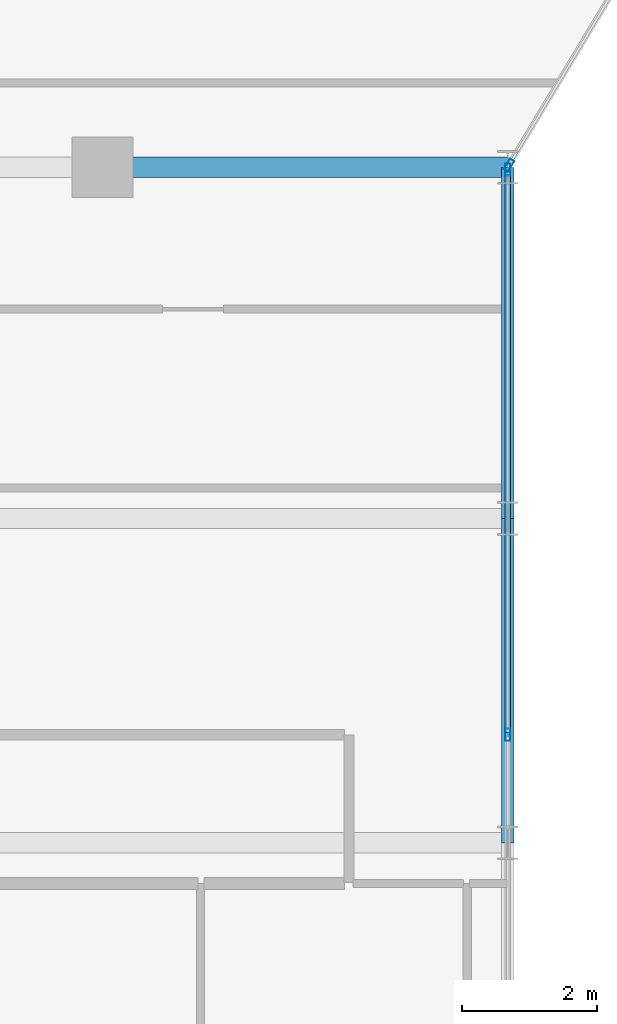
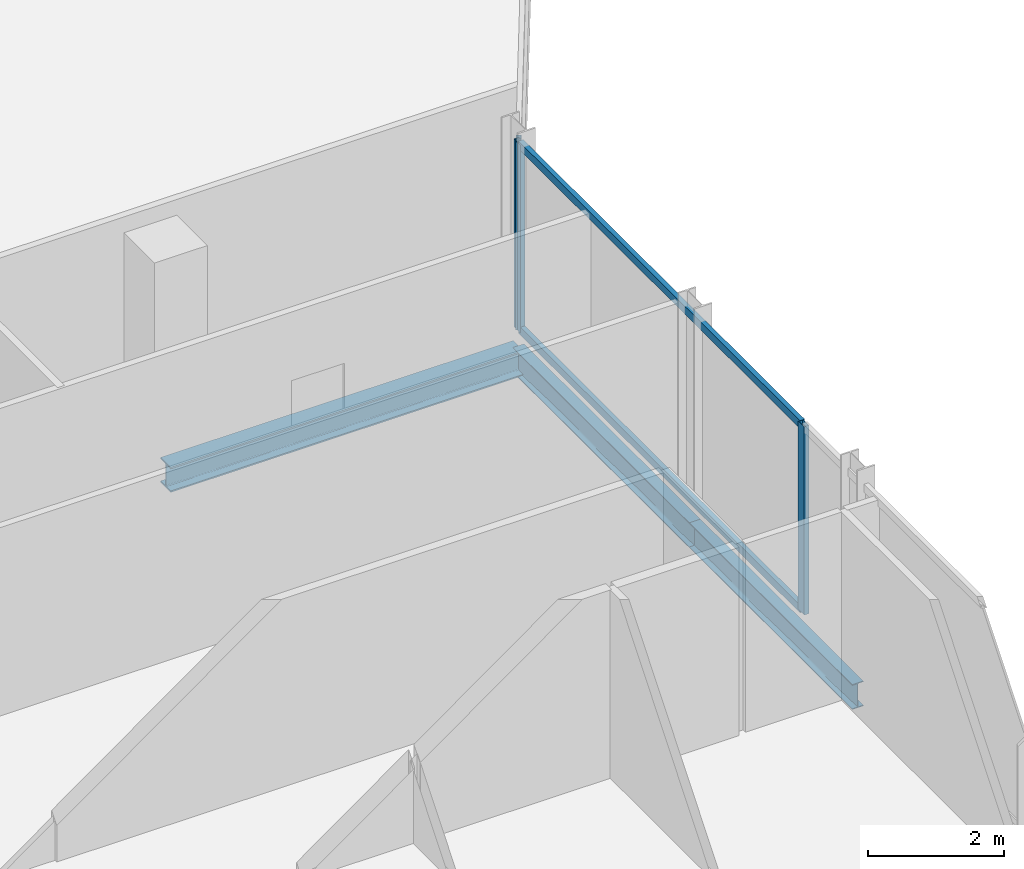
# One storey, part 13 of 32: 5 members, 3 beams, 2 elements without a shape of their own.
"""IFC4 building model written with IfcOpenShell, lengths in metres."""

from ifc_helpers import new_model, si_unit, direction, frame, origin, origin_2d, place, context, subcontext, project, spatial, hollow_rectangle, i_section, extrude, material, layer, layer_set, material_profile, profile_set, type_object, element, aggregate, save


model = new_model("IFC4")

# Units and contexts
model_context = context("Model", 3, precision=1e-05, world=origin(), true_north=direction((0.0, 1.0)))
body_context = subcontext(model_context, "Body", "Model", "MODEL_VIEW")
ifc_project = project(units=[si_unit("LENGTHUNIT", "METRE"), si_unit("AREAUNIT", "SQUARE_METRE"), si_unit("VOLUMEUNIT", "CUBIC_METRE"), si_unit("PLANEANGLEUNIT", "RADIAN"), si_unit("MASSUNIT", "GRAM", prefix="KILO")], contexts=[model_context])

# Site, building, storey
site_placement = place(None, origin())
site = spatial("IfcSite", under=ifc_project, at=site_placement, CompositionType="ELEMENT")
building_placement = place(site_placement, origin())
building = spatial("IfcBuilding", under=site, at=building_placement, Name="Keshet Zoharim Tower", CompositionType="ELEMENT")
storey_placement = place(building_placement, frame((0.0, 0.0, 137.199951171875)))
storey = spatial("IfcBuildingStorey", under=building, at=storey_placement, Name="L33", CompositionType="ELEMENT", Elevation=137.199951171875)

# Beams
ifc_material_1 = material(Name="Steel S355", Category="steel")
ifc_material_profile_1 = material_profile(ifc_material_1, i_section(OverallWidth=0.18994140625, OverallDepth=0.449951171875, WebThickness=0.009521484375, FlangeThickness=0.0146484375, FilletRadius=0.02099609375, at=origin_2d()), Name="IPE450")
ifc_profile_set_1 = profile_set([ifc_material_profile_1], Name="Steel S355")
beam_type_1 = type_object("IfcBeamType", Name="BM-PRI-IP450", PredefinedType="BEAM", material=ifc_profile_set_1)
beam_1_placement = place(storey_placement, frame((57.0, 17.89990234375, -0.5400390625), z_axis=(0.0, 1.0, 0.0), x_axis=(-1.0, 0.0, 0.0)))
element("IfcBeam", 1, at=beam_1_placement, inside=storey, type_object=beam_type_1, Name="L33 Primary Girder Y-015", PredefinedType="BEAM", context=body_context, shape_type="SweptSolid", body=[
    extrude(i_section(OverallWidth=0.18994140625, OverallDepth=0.449951171875, WebThickness=0.009521484375, FlangeThickness=0.0146484375, FilletRadius=0.02099609375, at=origin_2d()), origin(), (0.0, 0.0, 1.0), 4.800048828125),
])
beam_2_placement = place(storey_placement, frame((57.0, 22.699951171875, -0.5400390625), z_axis=(0.0, 1.0, 0.0), x_axis=(-1.0, 0.0, 0.0)))
element("IfcBeam", 2, at=beam_2_placement, inside=storey, type_object=beam_type_1, Name="L33 Primary Girder Y-016", PredefinedType="BEAM", context=body_context, shape_type="SweptSolid", body=[
    extrude(i_section(OverallWidth=0.18994140625, OverallDepth=0.449951171875, WebThickness=0.009521484375, FlangeThickness=0.0146484375, FilletRadius=0.02099609375, at=origin_2d()), origin(), (0.0, 0.0, 1.0), 5.199951171875),
])
ifc_material_profile_2 = material_profile(ifc_material_1, i_section(OverallWidth=0.300048828125, OverallDepth=0.449951171875, WebThickness=0.013916015625, FlangeThickness=0.02587890625, FilletRadius=0.027099609375, at=origin_2d()), Name="HEB450")
ifc_profile_set_2 = profile_set([ifc_material_profile_2], Name="Steel S355")
beam_type_2 = type_object("IfcBeamType", Name="BM-WEB-HB450", PredefinedType="BEAM", material=ifc_profile_set_2)
beam_3_placement = place(storey_placement, frame((51.0, 27.89990234375, -0.5400390625), z_axis=(1.0, 0.0, 0.0), x_axis=(0.0, 1.0, 0.0)))
element("IfcBeam", 3, at=beam_3_placement, inside=storey, type_object=beam_type_2, Name="L33 Primary Girder X-017", PredefinedType="BEAM", context=body_context, shape_type="SweptSolid", body=[
    extrude(i_section(OverallWidth=0.300048828125, OverallDepth=0.449951171875, WebThickness=0.013916015625, FlangeThickness=0.02587890625, FilletRadius=0.027099609375, at=origin_2d()), origin(), (0.0, 0.0, 1.0), 6.0),
])

# Curtain wall, member
ifc_material_2 = material(Name="Aluminium 6063-T6", Category="aluminium")
ifc_layer = layer(ifc_material_2, 0.159912109375)
ifc_layer_set = layer_set([ifc_layer], Name="Aluminium 6063-T6")
curtain_wall_type = type_object("IfcCurtainWallType", Name="CW-SYS-03", PredefinedType="NOTDEFINED", material=ifc_layer_set)
curtain_wall_1_placement = place(storey_placement, origin())
curtain_wall_1 = element("IfcCurtainWall", 4, at=curtain_wall_1_placement, inside=storey, type_object=curtain_wall_type, Name="L33 Unitised Curtain Wall 18", PredefinedType="NOTDEFINED")
ifc_material_profile_3 = material_profile(ifc_material_2, hollow_rectangle(XDim=0.080078125, YDim=0.179931640625, WallThickness=0.00439453125, at=origin_2d()), Name="MUL-80x180")
ifc_profile_set_3 = profile_set([ifc_material_profile_3], Name="Aluminium 6063-T6")
member_type_1 = type_object("IfcMemberType", Name="CWM-M18", PredefinedType="MULLION", material=ifc_profile_set_3)
member_1_placement = place(storey_placement, frame((57.01806640625, 27.929931640625, 0.0), z_axis=(0.0, 0.0, 1.0), x_axis=(0.857501477862, -0.514481501576, 0.0)))
member_1 = element("IfcMember", 5, at=member_1_placement, type_object=member_type_1, Name="CW-03 mullion 2", PredefinedType="MULLION", context=body_context, shape_type="SweptSolid", body=[
    extrude(hollow_rectangle(XDim=0.080078125, YDim=0.179931640625, WallThickness=0.00439453125, at=origin_2d()), origin(), (0.0, 0.0, 1.0), 3.385009765625),
])
aggregate(curtain_wall_1, [member_1])

# Curtain wall, members
curtain_wall_2_placement = place(storey_placement, origin())
curtain_wall_2 = element("IfcCurtainWall", 6, at=curtain_wall_2_placement, inside=storey, type_object=curtain_wall_type, Name="L33 Unitised Curtain Wall 19", PredefinedType="NOTDEFINED")
member_2_placement = place(storey_placement, frame((57.0, 27.864990234375, 0.0), z_axis=(0.0, 0.0, 1.0), x_axis=(1.0, 0.0, 0.0)))
member_2 = element("IfcMember", 7, at=member_2_placement, type_object=member_type_1, Name="CW-03 mullion 1", PredefinedType="MULLION", context=body_context, shape_type="SweptSolid", body=[
    extrude(hollow_rectangle(XDim=0.080078125, YDim=0.179931640625, WallThickness=0.00439453125, at=origin_2d()), origin(), (0.0, 0.0, 1.0), 3.385009765625),
])
member_3_placement = place(storey_placement, frame((57.0, 19.5, 0.0), z_axis=(0.0, 0.0, 1.0), x_axis=(1.0, 0.0, 0.0)))
member_3 = element("IfcMember", 8, at=member_3_placement, type_object=member_type_1, Name="CW-03 mullion 2", PredefinedType="MULLION", context=body_context, shape_type="SweptSolid", body=[
    extrude(hollow_rectangle(XDim=0.080078125, YDim=0.179931640625, WallThickness=0.00439453125, at=origin_2d()), origin(), (0.0, 0.0, 1.0), 3.385009765625),
])
ifc_material_profile_4 = material_profile(ifc_material_2, hollow_rectangle(XDim=0.080078125, YDim=0.139892578125, WallThickness=0.00390625, at=origin_2d()), Name="TRN-80x140")
ifc_profile_set_4 = profile_set([ifc_material_profile_4], Name="Aluminium 6063-T6")
member_type_2 = type_object("IfcMemberType", Name="CWT-T14", PredefinedType="USERDEFINED", material=ifc_profile_set_4)
member_4_placement = place(storey_placement, frame((57.0, 27.830078125, 0.03515625), z_axis=(0.0, -1.0, 0.0), x_axis=(1.0, 0.0, 0.0)))
member_4 = element("IfcMember", 9, at=member_4_placement, type_object=member_type_2, Name="CW-03 transom 1.1", ObjectType="TRANSOM", PredefinedType="USERDEFINED", context=body_context, shape_type="SweptSolid", body=[
    extrude(hollow_rectangle(XDim=0.080078125, YDim=0.139892578125, WallThickness=0.00390625, at=origin_2d()), origin(), (0.0, 0.0, 1.0), 8.295166015625),
])
member_5_placement = place(storey_placement, frame((57.0, 27.830078125, 3.35009765625), z_axis=(0.0, -1.0, 0.0), x_axis=(1.0, 0.0, 0.0)))
member_5 = element("IfcMember", 10, at=member_5_placement, type_object=member_type_2, Name="CW-03 transom 1.2", ObjectType="TRANSOM", PredefinedType="USERDEFINED", context=body_context, shape_type="SweptSolid", body=[
    extrude(hollow_rectangle(XDim=0.080078125, YDim=0.139892578125, WallThickness=0.00390625, at=origin_2d()), origin(), (0.0, 0.0, 1.0), 8.295166015625),
])
aggregate(curtain_wall_2, [member_2, member_3, member_4, member_5])

save(model, "model.ifc")
